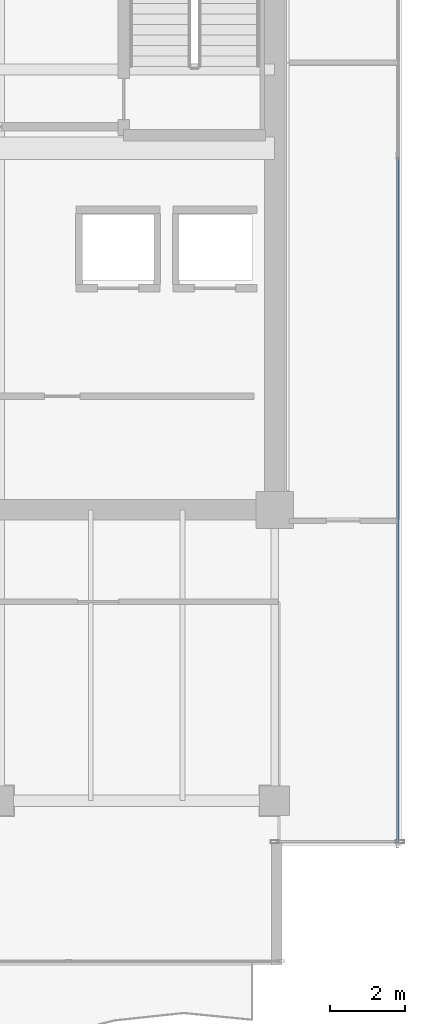
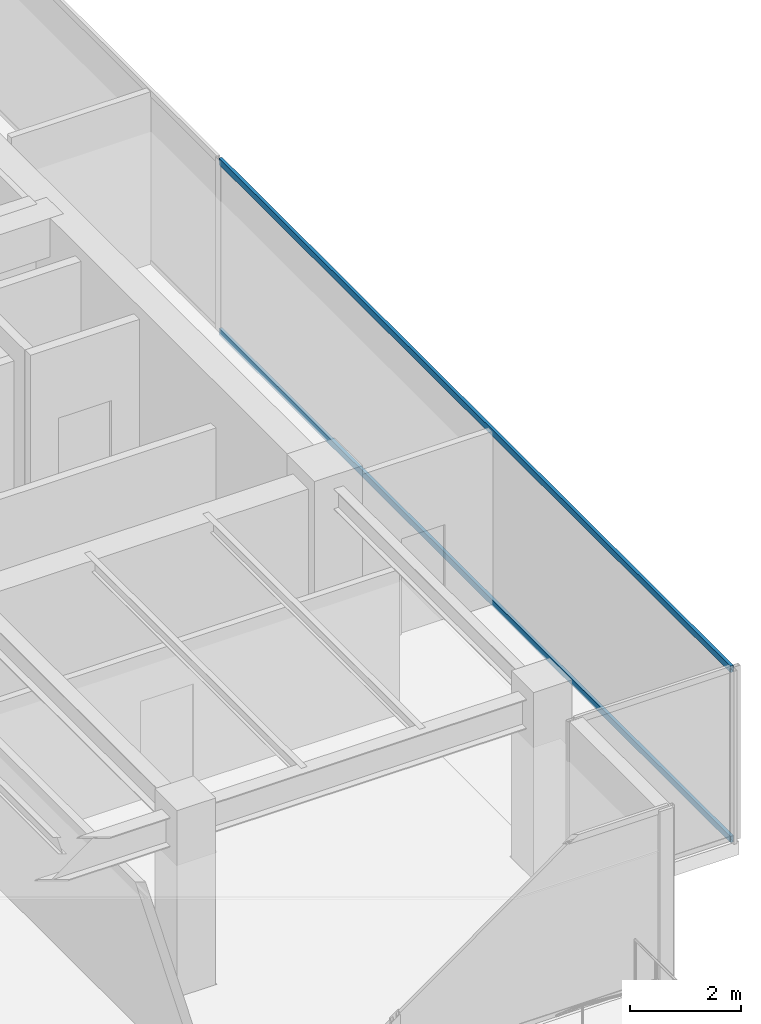
# One storey, part 23 of 35: 2 members, 1 element without a shape of its own.
"""IFC4 building model written with IfcOpenShell, lengths in metres."""

from ifc_helpers import new_model, si_unit, direction, frame, origin, origin_2d, place, context, subcontext, project, spatial, hollow_rectangle, extrude, source, transform, mapped, material, layer, layer_set, material_profile, profile_set, type_object, type_shapes, element, aggregate, save


model = new_model("IFC4")

# Units and contexts
model_context = context("Model", 3, precision=1e-05, world=origin(), true_north=direction((0.0, 1.0)))
body_context = subcontext(model_context, "Body", "Model", "MODEL_VIEW")
ifc_project = project(units=[si_unit("LENGTHUNIT", "METRE"), si_unit("AREAUNIT", "SQUARE_METRE"), si_unit("VOLUMEUNIT", "CUBIC_METRE"), si_unit("PLANEANGLEUNIT", "RADIAN"), si_unit("MASSUNIT", "GRAM", prefix="KILO")], contexts=[model_context])

# Site, building, storey
site_placement = place(None, origin())
site = spatial("IfcSite", under=ifc_project, at=site_placement, CompositionType="ELEMENT")
building_placement = place(site_placement, origin())
building = spatial("IfcBuilding", under=site, at=building_placement, Name="Haelvirn Gate Laboratories", CompositionType="ELEMENT")
storey_placement = place(building_placement, frame((0.0, 0.0, 283.39990234375)))
storey = spatial("IfcBuildingStorey", under=building, at=storey_placement, Name="L68", CompositionType="ELEMENT", Elevation=283.39990234375)

# Curtain wall, members
ifc_material_1 = material(Name="Anodised bronze unitised aluminium & triple low-E glass", Category="aluminium")
ifc_layer = layer(ifc_material_1, 0.176025390625, Name="CW-SYS-4")
ifc_layer_set = layer_set([ifc_layer], Name="Anodised bronze unitised aluminium & triple low-E glass")
curtain_wall_type = type_object("IfcCurtainWallType", Name="CW-SYS-4", PredefinedType="NOTDEFINED", material=ifc_layer_set)
curtain_wall_placement = place(storey_placement, origin())
curtain_wall = element("IfcCurtainWall", 1, at=curtain_wall_placement, inside=storey, type_object=curtain_wall_type, Name="L68 Unitised Curtain Wall CW-L68-P0-E07", PredefinedType="NOTDEFINED")
ifc_material_2 = material(Name="Extruded aluminium 6063-T6 (anodised bronze)", Category="aluminium")
ifc_material_profile = material_profile(ifc_material_2, hollow_rectangle(XDim=0.06494140625, YDim=0.139892578125, WallThickness=0.00390625, at=origin_2d()), Name="CWT-140x65x4")
ifc_profile_set = profile_set([ifc_material_profile], Name="Extruded aluminium 6063-T6 (anodised bronze)")
member_type = type_object("IfcMemberType", Name="CWT-T140", PredefinedType="USERDEFINED", material=ifc_profile_set)
shared_shape = source(origin(), body_context, "Body", "SweptSolid", [
    extrude(hollow_rectangle(XDim=0.06494140625, YDim=0.139892578125, WallThickness=0.00390625, at=origin_2d()), origin(), (0.0, 0.0, 1.0), 18.394775390625),
])
type_shapes(member_type, [shared_shape])
member_1_placement = place(storey_placement, frame((70.699951171875, 5.8701171875, 0.03271484375), z_axis=(0.0, 1.0, 0.0), x_axis=(-1.0, 0.0, 0.0)))
member_1 = element("IfcMember", 2, at=member_1_placement, type_object=member_type, Name="CW4 transom 1.1", ObjectType="TRANSOM", PredefinedType="USERDEFINED", context=body_context, shape_type="MappedRepresentation", body=[
    mapped(shared_shape, transform((0.0, 0.0, 0.0), scale=1.0)),
])
member_2_placement = place(storey_placement, frame((70.699951171875, 5.8701171875, 3.767578125), z_axis=(0.0, 1.0, 0.0), x_axis=(-1.0, 0.0, 0.0)))
member_2 = element("IfcMember", 3, at=member_2_placement, type_object=member_type, Name="CW4 transom 1.2", ObjectType="TRANSOM", PredefinedType="USERDEFINED", context=body_context, shape_type="MappedRepresentation", body=[
    mapped(shared_shape, transform((0.0, 0.0, 0.0), scale=1.0)),
])
aggregate(curtain_wall, [member_1, member_2])

save(model, "model.ifc")
